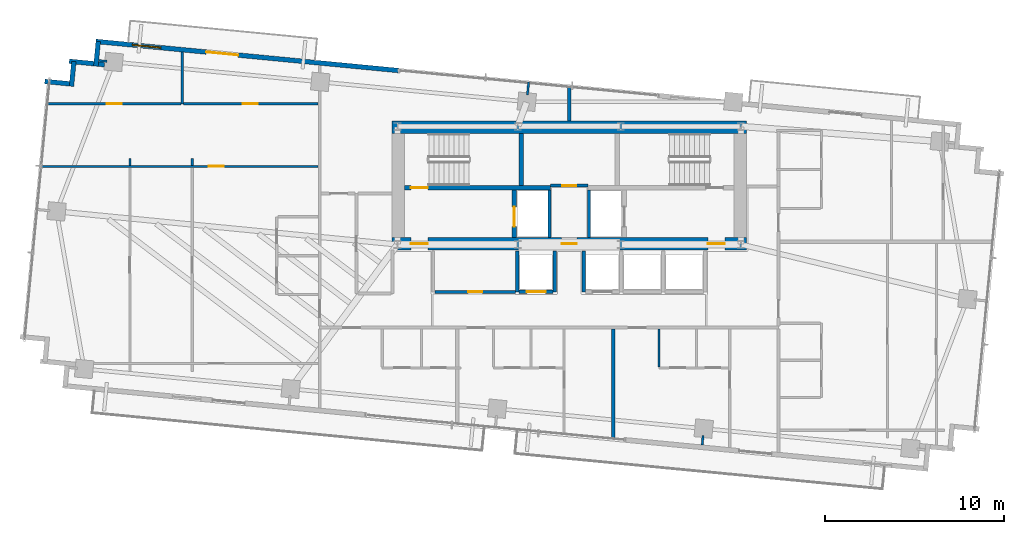
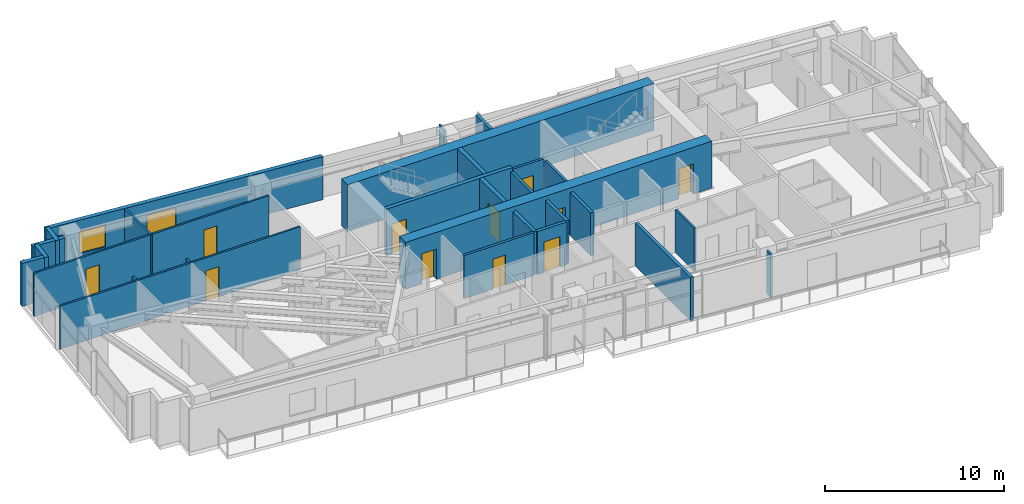
# One storey, part 15 of 19: 30 walls, 12 doors, 1 window, 13 openings.
"""IFC4 building model written with IfcOpenShell, lengths in metres."""

from ifc_helpers import new_model, si_unit, direction, frame, frame_2d, origin, place, context, subcontext, project, spatial, rectangle, extrude, source, transform, mapped, material, layer, layer_set, type_object, type_shapes, element, fill, save


model = new_model("IFC4")

# Units and contexts
model_context = context("Model", 3, precision=1e-05, world=origin(), true_north=direction((0.0, 1.0)))
body_context = subcontext(model_context, "Body", "Model", "MODEL_VIEW")
ifc_project = project(units=[si_unit("LENGTHUNIT", "METRE"), si_unit("AREAUNIT", "SQUARE_METRE"), si_unit("VOLUMEUNIT", "CUBIC_METRE"), si_unit("PLANEANGLEUNIT", "RADIAN"), si_unit("MASSUNIT", "GRAM", prefix="KILO")], contexts=[model_context])

# Site, building, storey
site_placement = place(None, origin())
site = spatial("IfcSite", under=ifc_project, at=site_placement, CompositionType="ELEMENT")
building_placement = place(site_placement, origin())
building = spatial("IfcBuilding", under=site, at=building_placement, Name="Astriad Promenade Condominiums", CompositionType="ELEMENT")
storey_placement = place(building_placement, frame((0.0, 0.0, 147.0)))
storey = spatial("IfcBuildingStorey", under=building, at=storey_placement, Name="L42", CompositionType="ELEMENT", Elevation=147.0)

# Wall, openings, doors
ifc_material_1 = material(Name="Concrete C60/75", Category="concrete")
ifc_layer_1 = layer(ifc_material_1, 0.699951171875)
ifc_layer_set_1 = layer_set([ifc_layer_1], Name="Concrete C60/75")
wall_type_1 = type_object("IfcWallType", Name="CW-SHEAR-700", PredefinedType="SHEAR", material=ifc_layer_set_1)
wall_1_placement = place(storey_placement, frame((26.10009765625, 17.449951171875, 0.0), z_axis=(0.0, 0.0, 1.0), x_axis=(1.0, 0.0, 0.0)))
wall_1 = element("IfcWall", 1, at=wall_1_placement, inside=storey, type_object=wall_type_1, Name="CW-CORE-S-L42", PredefinedType="SHEAR", context=body_context, shape_type="SweptSolid", body=[
    extrude(rectangle(XDim=19.7998046875, YDim=0.699951171875, at=frame_2d((9.89990234375, 0.0))), origin(), (0.0, 0.0, 1.0), 3.199951171875),
])
opening_1_placement = place(wall_1_placement, frame((1.050048828125, 0.0, 0.0)))
opening_1 = element("IfcOpeningElement", 2, at=opening_1_placement, cuts=wall_1, Name="Opening FD90-ST-095", PredefinedType="OPENING", context=body_context, shape_type="SweptSolid", body=[
    extrude(rectangle(XDim=0.949951171875, YDim=2.06005859375, at=frame_2d((0.47509765625, 1.030029296875))), frame((0.0, 0.35986328125, 0.0), z_axis=(0.0, -1.0, 0.0), x_axis=(1.0, 0.0, 0.0)), (0.0, 0.0, 1.0), 0.719970703125),
])
opening_2_placement = place(wall_1_placement, frame((9.47998046875, 0.0, 0.0)))
opening_2 = element("IfcOpeningElement", 3, at=opening_2_placement, cuts=wall_1, Name="Opening FD60-ULOW-085", PredefinedType="OPENING", context=body_context, shape_type="SweptSolid", body=[
    extrude(rectangle(XDim=0.85009765625, YDim=2.0, at=frame_2d((0.425048828125, 1.0))), frame((0.0, 0.35986328125, 0.0), z_axis=(0.0, -1.0, 0.0), x_axis=(1.0, 0.0, 0.0)), (0.0, 0.0, 1.0), 0.719970703125),
])
opening_3_placement = place(wall_1_placement, frame((17.64990234375, 0.0, 0.0)))
opening_3 = element("IfcOpeningElement", 4, at=opening_3_placement, cuts=wall_1, Name="Opening FD90-ST-095", PredefinedType="OPENING", context=body_context, shape_type="SweptSolid", body=[
    extrude(rectangle(XDim=0.949951171875, YDim=2.06005859375, at=frame_2d((0.47509765625, 1.030029296875))), frame((0.0, 0.35986328125, 0.0), z_axis=(0.0, -1.0, 0.0), x_axis=(1.0, 0.0, 0.0)), (0.0, 0.0, 1.0), 0.719970703125),
])
ifc_material_2 = material(Name="Fire-Rated Hollow Metal Stair Door")
door_type_1 = type_object("IfcDoorType", Name="FD90-ST-095", OperationType="NOTDEFINED", PredefinedType="DOOR", material=ifc_material_2)
shared_shape_1 = source(origin(), body_context, "Body", "SweptSolid", [
    extrude(rectangle(XDim=0.949951171875, YDim=2.06005859375, at=frame_2d((0.47509765625, 1.030029296875))), frame((0.0, 0.02490234375, 0.0), z_axis=(0.0, -1.0, 0.0), x_axis=(1.0, 0.0, 0.0)), (0.0, 0.0, 1.0), 0.050048828125),
])
type_shapes(door_type_1, [shared_shape_1])
door_1_placement = place(opening_1_placement, origin())
door_1 = element("IfcDoor", 5, at=door_1_placement, inside=storey, type_object=door_type_1, Name="D-FFW-L42", OperationType="SINGLE_SWING_LEFT", OverallHeight=2.06005859375, OverallWidth=0.949951171875, PredefinedType="DOOR", context=body_context, shape_type="MappedRepresentation", body=[
    mapped(shared_shape_1, transform((0.0, 0.0, 0.0), scale=1.0)),
])
fill(opening_1, door_1)
door_2_placement = place(opening_3_placement, origin())
door_2 = element("IfcDoor", 6, at=door_2_placement, inside=storey, type_object=door_type_1, Name="D-FFE-L42", OperationType="SINGLE_SWING_RIGHT", OverallHeight=2.06005859375, OverallWidth=0.949951171875, PredefinedType="DOOR", context=body_context, shape_type="MappedRepresentation", body=[
    mapped(shared_shape_1, transform((0.0, 0.0, 0.0), scale=1.0)),
])
fill(opening_3, door_2)
ifc_material_3 = material(Name="Solid-Core Low-Headroom Fire Door")
door_type_2 = type_object("IfcDoorType", Name="FD60-ULOW-085", OperationType="NOTDEFINED", PredefinedType="DOOR", material=ifc_material_3)
shared_shape_2 = source(origin(), body_context, "Body", "SweptSolid", [
    extrude(rectangle(XDim=0.85009765625, YDim=2.0, at=frame_2d((0.425048828125, 1.0))), frame((0.0, 0.02490234375, 0.0), z_axis=(0.0, -1.0, 0.0), x_axis=(1.0, 0.0, 0.0)), (0.0, 0.0, 1.0), 0.050048828125),
])
type_shapes(door_type_2, [shared_shape_2])
door_3_placement = place(opening_2_placement, origin())
door_3 = element("IfcDoor", 7, at=door_3_placement, inside=storey, type_object=door_type_2, Name="D-CSL-L42", OperationType="SINGLE_SWING_RIGHT", OverallHeight=2.0, OverallWidth=0.85009765625, PredefinedType="DOOR", context=body_context, shape_type="MappedRepresentation", body=[
    mapped(shared_shape_2, transform((0.0, 0.0, 0.0), scale=1.0)),
])
fill(opening_2, door_3)

# Wall
wall_2_placement = place(storey_placement, frame((26.10009765625, 23.949951171875, 0.0), z_axis=(0.0, 0.0, 1.0), x_axis=(1.0, 0.0, 0.0)))
element("IfcWall", 8, at=wall_2_placement, inside=storey, type_object=wall_type_1, Name="CW-CORE-N-L42", PredefinedType="SHEAR", context=body_context, shape_type="SweptSolid", body=[
    extrude(rectangle(XDim=19.7998046875, YDim=0.699951171875, at=frame_2d((9.89990234375, 0.0))), origin(), (0.0, 0.0, 1.0), 3.199951171875),
])

# Wall, opening, door
ifc_material_4 = material(Name="Concrete C50/60", Category="concrete")
ifc_layer_2 = layer(ifc_material_4, 0.25)
ifc_layer_set_2 = layer_set([ifc_layer_2], Name="Concrete C50/60")
wall_type_2 = type_object("IfcWallType", Name="WALL-CORE-INT-250", PredefinedType="SOLIDWALL", material=ifc_layer_set_2)
wall_3_placement = place(storey_placement, frame((26.802001953125, 20.574951171875, 0.0), z_axis=(0.0, 0.0, 1.0), x_axis=(1.0, 0.0, 0.0)))
wall_3 = element("IfcWall", 9, at=wall_3_placement, inside=storey, type_object=wall_type_2, Name="CW-INT-H1-L42", PredefinedType="SOLIDWALL", context=body_context, shape_type="SweptSolid", body=[
    extrude(rectangle(XDim=8.14794921875, YDim=0.25, at=frame_2d((4.073974609375, 0.0))), origin(), (0.0, 0.0, 1.0), 3.199951171875),
])
opening_4_placement = place(wall_3_placement, frame((0.347900390625, 0.0, 0.0)))
opening_4 = element("IfcOpeningElement", 10, at=opening_4_placement, cuts=wall_3, Name="Opening FD90-ST-095", PredefinedType="OPENING", context=body_context, shape_type="SweptSolid", body=[
    extrude(rectangle(XDim=0.949951171875, YDim=2.06005859375, at=frame_2d((0.47509765625, 1.030029296875))), frame((0.0, 0.135009765625, 0.0), z_axis=(0.0, -1.0, 0.0), x_axis=(1.0, 0.0, 0.0)), (0.0, 0.0, 1.0), 0.27001953125),
])
door_4_placement = place(opening_4_placement, origin())
door_4 = element("IfcDoor", 11, at=door_4_placement, inside=storey, type_object=door_type_1, Name="D-ST1-L42", OperationType="SINGLE_SWING_RIGHT", OverallHeight=2.06005859375, OverallWidth=0.949951171875, PredefinedType="DOOR", context=body_context, shape_type="MappedRepresentation", body=[
    mapped(shared_shape_1, transform((0.0, 0.0, 0.0), scale=1.0)),
])
fill(opening_4, door_4)

# Wall
wall_4_placement = place(storey_placement, frame((33.324951171875, 20.701904296875, 0.0), z_axis=(0.0, 0.0, 1.0), x_axis=(0.0, 1.0, 0.0)))
element("IfcWall", 12, at=wall_4_placement, inside=storey, type_object=wall_type_2, Name="CW-ST1-E-L42", PredefinedType="SOLIDWALL", context=body_context, shape_type="SweptSolid", body=[
    extrude(rectangle(XDim=2.89599609375, YDim=0.25, at=frame_2d((1.447998046875, 0.0))), origin(), (0.0, 0.0, 1.0), 3.199951171875),
])

# Wall, opening, door
wall_5_placement = place(storey_placement, frame((32.925048828125, 17.802001953125, 0.0), z_axis=(0.0, 0.0, 1.0), x_axis=(0.0, 1.0, 0.0)))
wall_5 = element("IfcWall", 13, at=wall_5_placement, inside=storey, type_object=wall_type_2, Name="CW-FFL1-W-L42", PredefinedType="SOLIDWALL", context=body_context, shape_type="SweptSolid", body=[
    extrude(rectangle(XDim=2.64599609375, YDim=0.25, at=frame_2d((1.322998046875, 0.0))), origin(), (0.0, 0.0, 1.0), 3.199951171875),
])
opening_5_placement = place(wall_5_placement, frame((0.597900390625, 0.0, 0.0)))
opening_5 = element("IfcOpeningElement", 14, at=opening_5_placement, cuts=wall_5, Name="Opening LD-FFL-1122", PredefinedType="OPENING", context=body_context, shape_type="SweptSolid", body=[
    extrude(rectangle(XDim=1.10009765625, YDim=2.080078125, at=frame_2d((0.550048828125, 1.0400390625))), frame((0.0, 0.135009765625, 0.0), z_axis=(0.0, -1.0, 0.0), x_axis=(1.0, 0.0, 0.0)), (0.0, 0.0, 1.0), 0.27001953125),
])
ifc_material_5 = material(Name="Brushed Stainless Steel Fire Elevator Landing Door", Category="steel")
door_type_3 = type_object("IfcDoorType", Name="LD-FFL-1122", OperationType="NOTDEFINED", PredefinedType="DOOR", material=ifc_material_5)
shared_shape_3 = source(origin(), body_context, "Body", "SweptSolid", [
    extrude(rectangle(XDim=1.10009765625, YDim=2.080078125, at=frame_2d((0.550048828125, 1.0400390625))), frame((0.0, 0.02490234375, 0.0), z_axis=(0.0, -1.0, 0.0), x_axis=(1.0, 0.0, 0.0)), (0.0, 0.0, 1.0), 0.050048828125),
])
type_shapes(door_type_3, [shared_shape_3])
door_5_placement = place(opening_5_placement, origin())
door_5 = element("IfcDoor", 15, at=door_5_placement, inside=storey, type_object=door_type_3, Name="Elevator Landing Door FFL-1 (L42)", OperationType="SLIDING_TO_LEFT", OverallHeight=2.080078125, OverallWidth=1.10009765625, PredefinedType="DOOR", context=body_context, shape_type="MappedRepresentation", body=[
    mapped(shared_shape_3, transform((0.0, 0.0, 0.0), scale=1.0)),
])
fill(opening_5, door_5)

# Walls
ifc_material_6 = material(Name="Fire-Rated Gypsum Partition")
ifc_layer_3 = layer(ifc_material_6, 0.159912109375)
ifc_layer_set_3 = layer_set([ifc_layer_3], Name="Fire-Rated Gypsum Partition")
wall_type_3 = type_object("IfcWallType", Name="WALL-CORR-160", PredefinedType="PARTITIONING", material=ifc_layer_set_3)
for number, where, z_axis, x_axis, name in (
    (16, (34.89990234375, 17.802001953125, 0.0), (0.0, 0.0, 1.0), (0.0, 1.0, 0.0), "CW-FFL1-E-L42"),
    (17, (37.10009765625, 17.802001953125, 0.0), (0.0, 0.0, 1.0), (0.0, 1.0, 0.0), "CW-FFL2-W-L42"),
):
    element("IfcWall", number, at=place(storey_placement, frame(where, z_axis=z_axis, x_axis=x_axis)), inside=storey, type_object=wall_type_3, Name=name, PredefinedType="PARTITIONING", context=body_context, shape_type="SweptSolid", body=[
        extrude(rectangle(XDim=2.64599609375, YDim=0.159912109375, at=frame_2d((1.322998046875, 0.0))), origin(), (0.0, 0.0, 1.0), 2.93994140625),
    ])

# Wall, opening, door
wall_6_placement = place(storey_placement, frame((34.949951171875, 20.68994140625, 0.0), z_axis=(0.0, 0.0, 1.0), x_axis=(1.0, 0.0, 0.0)))
wall_6 = element("IfcWall", 18, at=wall_6_placement, inside=storey, type_object=wall_type_3, Name="CW-AUX-S-L42", PredefinedType="PARTITIONING", context=body_context, shape_type="SweptSolid", body=[
    extrude(rectangle(XDim=2.10009765625, YDim=0.159912109375, at=frame_2d((1.050048828125, 0.0))), origin(), (0.0, 0.0, 1.0), 2.93994140625),
])
opening_6_placement = place(wall_6_placement, frame((0.64990234375, 0.0, 0.0)))
opening_6 = element("IfcOpeningElement", 19, at=opening_6_placement, cuts=wall_6, Name="Opening FD60-SV-080", PredefinedType="OPENING", context=body_context, shape_type="SweptSolid", body=[
    extrude(rectangle(XDim=0.800048828125, YDim=2.050048828125, at=frame_2d((0.39990234375, 1.02490234375))), frame((0.0, 0.08984375, 0.0), z_axis=(0.0, -1.0, 0.0), x_axis=(1.0, 0.0, 0.0)), (0.0, 0.0, 1.0), 0.179931640625),
])
ifc_material_7 = material(Name="Fire-Rated Riser Closet Door")
door_type_4 = type_object("IfcDoorType", Name="FD60-SV-080", OperationType="NOTDEFINED", PredefinedType="DOOR", material=ifc_material_7)
shared_shape_4 = source(origin(), body_context, "Body", "SweptSolid", [
    extrude(rectangle(XDim=0.800048828125, YDim=2.050048828125, at=frame_2d((0.39990234375, 1.02490234375))), frame((0.0, 0.02490234375, 0.0), z_axis=(0.0, -1.0, 0.0), x_axis=(1.0, 0.0, 0.0)), (0.0, 0.0, 1.0), 0.050048828125),
])
type_shapes(door_type_4, [shared_shape_4])
door_6_placement = place(opening_6_placement, origin())
door_6 = element("IfcDoor", 20, at=door_6_placement, inside=storey, type_object=door_type_4, Name="D-AUX1-L42", OperationType="SINGLE_SWING_RIGHT", OverallHeight=2.050048828125, OverallWidth=0.800048828125, PredefinedType="DOOR", context=body_context, shape_type="MappedRepresentation", body=[
    mapped(shared_shape_4, transform((0.0, 0.0, 0.0), scale=1.0)),
])
fill(opening_6, door_6)

wall_7_placement = place(storey_placement, frame((28.48193359375, 14.75, 0.0), z_axis=(0.0, 0.0, 1.0), x_axis=(1.0, 0.0, 0.0)))
wall_7 = element("IfcWall", 21, at=wall_7_placement, inside=storey, type_object=wall_type_3, Name="REC-L-S-L42", PredefinedType="PARTITIONING", context=body_context, shape_type="SweptSolid", body=[
    extrude(rectangle(XDim=4.51611328125, YDim=0.159912109375, at=frame_2d((2.258056640625, 0.0))), origin(), (0.0, 0.0, 1.0), 2.93994140625),
])
opening_7_placement = place(wall_7_placement, frame((1.867919921875, 0.0, 0.0)))
opening_7 = element("IfcOpeningElement", 22, at=opening_7_placement, cuts=wall_7, Name="Opening FD60-SV-080", PredefinedType="OPENING", context=body_context, shape_type="SweptSolid", body=[
    extrude(rectangle(XDim=0.800048828125, YDim=2.050048828125, at=frame_2d((0.39990234375, 1.02490234375))), frame((0.0, 0.08984375, 0.0), z_axis=(0.0, -1.0, 0.0), x_axis=(1.0, 0.0, 0.0)), (0.0, 0.0, 1.0), 0.179931640625),
])
door_7_placement = place(opening_7_placement, origin())
door_7 = element("IfcDoor", 23, at=door_7_placement, inside=storey, type_object=door_type_4, Name="D-RECL-L42", OperationType="SINGLE_SWING_LEFT", OverallHeight=2.050048828125, OverallWidth=0.800048828125, PredefinedType="DOOR", context=body_context, shape_type="MappedRepresentation", body=[
    mapped(shared_shape_4, transform((0.0, 0.0, 0.0), scale=1.0)),
])
fill(opening_7, door_7)

# Walls
ifc_material_8 = material(Name="Acoustic Double-Stud Gypsum Partition")
ifc_layer_4 = layer(ifc_material_8, 0.199951171875)
ifc_layer_set_4 = layer_set([ifc_layer_4], Name="Acoustic Double-Stud Gypsum Partition")
wall_type_4 = type_object("IfcWallType", Name="WALL-DEMISING-200", PredefinedType="PARTITIONING", material=ifc_layer_set_4)
wall_8_placement = place(storey_placement, frame((36.0, 24.302001953125, 0.0), z_axis=(0.0, 0.0, 1.0), x_axis=(0.0, 1.0, 0.0)))
element("IfcWall", 24, at=wall_8_placement, inside=storey, type_object=wall_type_4, Name="PT-NC-MID-L42", PredefinedType="PARTITIONING", context=body_context, shape_type="SweptSolid", body=[
    extrude(rectangle(XDim=1.954833984375, YDim=0.199951171875, at=frame_2d((0.9775390625, 0.0))), origin(), (0.0, 0.0, 1.0), 2.93994140625),
])
wall_9_placement = place(storey_placement, frame((38.466064453125, 6.489501953125, 0.0), z_axis=(0.0, 0.0, 1.0), x_axis=(0.0, 1.0, 0.0)))
element("IfcWall", 25, at=wall_9_placement, inside=storey, type_object=wall_type_4, Name="PT-DEM-S2-L42", PredefinedType="PARTITIONING", context=body_context, shape_type="SweptSolid", body=[
    extrude(rectangle(XDim=6.178466796875, YDim=0.199951171875, at=frame_2d((3.08935546875, 0.0))), origin(), (0.0, 0.0, 1.0), 2.93994140625),
])
ifc_material_9 = material(Name="Precast concrete C50/60", Category="concrete")
ifc_layer_5 = layer(ifc_material_9, 0.260009765625)
ifc_layer_set_5 = layer_set([ifc_layer_5], Name="Precast concrete C50/60")
wall_type_5 = type_object("IfcWallType", Name="WALL-EXT-TWR-260", PredefinedType="STANDARD", material=ifc_layer_set_5)
wall_10_placement = place(storey_placement, frame((6.68115234375, 26.518310546875, 0.0), z_axis=(0.0, 0.0, 1.0), x_axis=(0.995389446633, -0.095915846097, 0.0)))
element("IfcWall", 26, at=wall_10_placement, inside=storey, type_object=wall_type_5, Name="W-SER-L42-04", PredefinedType="STANDARD", context=body_context, shape_type="SweptSolid", body=[
    extrude(rectangle(XDim=1.394775390625, YDim=0.260009765625, at=frame_2d((0.697265625, 0.0))), origin(), (0.0, 0.0, 1.0), 2.93994140625),
])
wall_11_placement = place(storey_placement, frame((8.171875, 26.243896484375, 0.0), z_axis=(0.0, 0.0, 1.0), x_axis=(0.095725744959, 0.99540774648, 0.0)))
element("IfcWall", 27, at=wall_11_placement, inside=storey, type_object=wall_type_5, Name="W-SER-L42-05", PredefinedType="STANDARD", context=body_context, shape_type="SweptSolid", body=[
    extrude(rectangle(XDim=1.39501953125, YDim=0.260009765625, at=frame_2d((0.697509765625, 0.0))), origin(), (0.0, 0.0, 1.0), 2.93994140625),
])
wall_12_placement = place(storey_placement, frame((8.045166015625, 27.642578125, 0.0), z_axis=(0.0, 0.0, 1.0), x_axis=(0.995391147587, -0.095898192396, 0.0)))
element("IfcWall", 28, at=wall_12_placement, inside=storey, type_object=wall_type_5, Name="W-SER-L42-06", PredefinedType="STANDARD", context=body_context, shape_type="SweptSolid", body=[
    extrude(rectangle(XDim=1.97802734375, YDim=0.260009765625, at=frame_2d((0.989013671875, 0.0))), origin(), (0.0, 0.0, 1.0), 2.93994140625),
])
wall_13_placement = place(storey_placement, frame((9.535888671875, 27.368408203125, 0.0), z_axis=(0.0, 0.0, 1.0), x_axis=(0.095915846097, 0.995389446633, 0.0)))
element("IfcWall", 29, at=wall_13_placement, inside=storey, type_object=wall_type_5, Name="W-SER-L42-07", PredefinedType="STANDARD", context=body_context, shape_type="SweptSolid", body=[
    extrude(rectangle(XDim=1.394775390625, YDim=0.260009765625, at=frame_2d((0.697265625, 0.0))), origin(), (0.0, 0.0, 1.0), 2.93994140625),
])

# Wall, openings, door, window
wall_14_placement = place(storey_placement, frame((9.538818359375, 28.75439453125, 0.0), z_axis=(0.0, 0.0, 1.0), x_axis=(0.995397345886, -0.09583383433, 0.0)))
wall_14 = element("IfcWall", 30, at=wall_14_placement, inside=storey, type_object=wall_type_5, Name="W-EXT-L42-N1", PredefinedType="STANDARD", context=body_context, shape_type="SweptSolid", body=[
    extrude(rectangle(XDim=17.010009765625, YDim=0.260009765625, at=frame_2d((8.5048828125, 0.0))), origin(), (0.0, 0.0, 1.0), 2.93994140625),
])
opening_8_placement = place(wall_14_placement, frame((6.18603515625, 0.0, 0.0)))
opening_8 = element("IfcOpeningElement", 31, at=opening_8_placement, cuts=wall_14, Name="Opening BD-1822-SLD", PredefinedType="OPENING", context=body_context, shape_type="SweptSolid", body=[
    extrude(rectangle(XDim=1.800048828125, YDim=2.06005859375, at=frame_2d((0.89990234375, 1.030029296875))), frame((0.0, 0.139892578125, 0.0), z_axis=(0.0, -1.0, 0.0), x_axis=(1.0, 0.0, 0.0)), (0.0, 0.0, 1.0), 0.280029296875),
])
opening_9_placement = place(wall_14_placement, frame((2.050048828125, 0.0, 0.64990234375)))
opening_9 = element("IfcOpeningElement", 32, at=opening_9_placement, cuts=wall_14, Name="Opening WIN-TWR-1620", PredefinedType="OPENING", context=body_context, shape_type="SweptSolid", body=[
    extrude(rectangle(XDim=1.60009765625, YDim=1.5, at=frame_2d((0.800048828125, 0.75))), frame((0.0, 0.139892578125, 0.0), z_axis=(0.0, -1.0, 0.0), x_axis=(1.0, 0.0, 0.0)), (0.0, 0.0, 1.0), 0.280029296875),
])
ifc_material_10 = material(Name="Thermally Broken Aluminium Sliding Balcony Door", Category="aluminium")
door_type_5 = type_object("IfcDoorType", Name="BD-1822-SLD", OperationType="NOTDEFINED", PredefinedType="DOOR", material=ifc_material_10)
shared_shape_5 = source(origin(), body_context, "Body", "SweptSolid", [
    extrude(rectangle(XDim=1.800048828125, YDim=2.06005859375, at=frame_2d((0.89990234375, 1.030029296875))), frame((0.0, 0.02490234375, 0.0), z_axis=(0.0, -1.0, 0.0), x_axis=(1.0, 0.0, 0.0)), (0.0, 0.0, 1.0), 0.050048828125),
])
type_shapes(door_type_5, [shared_shape_5])
door_8_placement = place(opening_8_placement, origin())
door_8 = element("IfcDoor", 33, at=door_8_placement, inside=storey, type_object=door_type_5, Name="BD-L42-NW", OperationType="SLIDING_TO_LEFT", OverallHeight=2.06005859375, OverallWidth=1.800048828125, PredefinedType="DOOR", context=body_context, shape_type="MappedRepresentation", body=[
    mapped(shared_shape_5, transform((0.0, 0.0, 0.0), scale=1.0)),
])
fill(opening_8, door_8)
ifc_material_11 = material(Name="Dark Tinted Triple-Glazed Aluminium Window", Category="aluminium")
window_type = type_object("IfcWindowType", Name="WIN-TWR-1620", PartitioningType="SINGLE_PANEL", PredefinedType="WINDOW", material=ifc_material_11)
shared_shape_6 = source(origin(), body_context, "Body", "SweptSolid", [
    extrude(rectangle(XDim=1.60009765625, YDim=1.5, at=frame_2d((0.800048828125, 0.75))), frame((0.0, 0.030029296875, 0.0), z_axis=(0.0, -1.0, 0.0), x_axis=(1.0, 0.0, 0.0)), (0.0, 0.0, 1.0), 0.06005859375),
])
type_shapes(window_type, [shared_shape_6])
window_placement = place(opening_9_placement, origin())
window = element("IfcWindow", 34, at=window_placement, inside=storey, type_object=window_type, Name="WIN-L42-NW", OverallHeight=1.5, OverallWidth=1.60009765625, PartitioningType="SINGLE_PANEL", PredefinedType="WINDOW", context=body_context, shape_type="MappedRepresentation", body=[
    mapped(shared_shape_6, transform((0.0, 0.0, 0.0), scale=1.0)),
])
fill(opening_9, window)

# Walls
ifc_material_12 = material(Name="Acoustic Metal-Stud Gypsum Partition")
ifc_layer_6 = layer(ifc_material_12, 0.1201171875)
ifc_layer_set_6 = layer_set([ifc_layer_6], Name="Acoustic Metal-Stud Gypsum Partition")
wall_type_6 = type_object("IfcWallType", Name="WALL-PART-120", PredefinedType="PARTITIONING", material=ifc_layer_set_6)
wall_15_placement = place(storey_placement, frame((41.02001953125, 10.56201171875, 0.0), z_axis=(0.0, 0.0, 1.0), x_axis=(0.0, 1.0, 0.0)))
element("IfcWall", 35, at=wall_15_placement, inside=storey, type_object=wall_type_6, Name="PT-L42-S3-PKW", PredefinedType="PARTITIONING", context=body_context, shape_type="SweptSolid", body=[
    extrude(rectangle(XDim=2.10595703125, YDim=0.1201171875, at=frame_2d((1.052978515625, 0.0))), origin(), (0.0, 0.0, 1.0), 2.93994140625),
])
wall_16_placement = place(storey_placement, frame((14.364013671875, 25.26806640625, 0.0), z_axis=(0.0, 0.0, 1.0), x_axis=(0.0, 1.0, 0.0)))
element("IfcWall", 36, at=wall_16_placement, inside=storey, type_object=wall_type_6, Name="PT-L42-W1-B1M", PredefinedType="PARTITIONING", context=body_context, shape_type="SweptSolid", body=[
    extrude(rectangle(XDim=2.88916015625, YDim=0.1201171875, at=frame_2d((1.444580078125, 0.0))), origin(), (0.0, 0.0, 1.0), 2.93994140625),
])

# Wall, opening, door
wall_17_placement = place(storey_placement, frame((6.771728515625, 25.26806640625, 0.0), z_axis=(0.0, 0.0, 1.0), x_axis=(1.0, 0.0, 0.0)))
wall_17 = element("IfcWall", 37, at=wall_17_placement, inside=storey, type_object=wall_type_6, Name="PT-L42-W1-B1", PredefinedType="PARTITIONING", context=body_context, shape_type="SweptSolid", body=[
    extrude(rectangle(XDim=7.5302734375, YDim=0.1201171875, at=frame_2d((3.76513671875, 0.0))), origin(), (0.0, 0.0, 1.0), 2.93994140625),
])
opening_10_placement = place(wall_17_placement, frame((3.3642578125, 0.0, 0.0)))
opening_10 = element("IfcOpeningElement", 38, at=opening_10_placement, cuts=wall_17, Name="Opening D-INT-085", PredefinedType="OPENING", context=body_context, shape_type="SweptSolid", body=[
    extrude(rectangle(XDim=0.85009765625, YDim=2.050048828125, at=frame_2d((0.425048828125, 1.02490234375))), frame((0.0, 0.070068359375, 0.0), z_axis=(0.0, -1.0, 0.0), x_axis=(1.0, 0.0, 0.0)), (0.0, 0.0, 1.0), 0.14013671875),
])
ifc_material_13 = material(Name="Painted Solid-Core Timber Room Door", Category="wood")
door_type_6 = type_object("IfcDoorType", Name="D-INT-085", OperationType="NOTDEFINED", PredefinedType="DOOR", material=ifc_material_13)
shared_shape_7 = source(origin(), body_context, "Body", "SweptSolid", [
    extrude(rectangle(XDim=0.85009765625, YDim=2.050048828125, at=frame_2d((0.425048828125, 1.02490234375))), frame((0.0, 0.02490234375, 0.0), z_axis=(0.0, -1.0, 0.0), x_axis=(1.0, 0.0, 0.0)), (0.0, 0.0, 1.0), 0.050048828125),
])
type_shapes(door_type_6, [shared_shape_7])
door_9_placement = place(opening_10_placement, origin())
door_9 = element("IfcDoor", 39, at=door_9_placement, inside=storey, type_object=door_type_6, Name="D-BD1-L42-W1", OperationType="SINGLE_SWING_RIGHT", OverallHeight=2.050048828125, OverallWidth=0.85009765625, PredefinedType="DOOR", context=body_context, shape_type="MappedRepresentation", body=[
    mapped(shared_shape_7, transform((0.0, 0.0, 0.0), scale=1.0)),
])
fill(opening_10, door_9)

wall_18_placement = place(storey_placement, frame((14.426025390625, 25.26806640625, 0.0), z_axis=(0.0, 0.0, 1.0), x_axis=(1.0, 0.0, 0.0)))
wall_18 = element("IfcWall", 40, at=wall_18_placement, inside=storey, type_object=wall_type_6, Name="PT-L42-W1-B1-S2", PredefinedType="PARTITIONING", context=body_context, shape_type="SweptSolid", body=[
    extrude(rectangle(XDim=7.5419921875, YDim=0.1201171875, at=frame_2d((3.77099609375, 0.0))), origin(), (0.0, 0.0, 1.0), 2.93994140625),
])
opening_11_placement = place(wall_18_placement, frame((3.31591796875, 0.0, 0.0)))
opening_11 = element("IfcOpeningElement", 41, at=opening_11_placement, cuts=wall_18, Name="Opening D-INT-085", PredefinedType="OPENING", context=body_context, shape_type="SweptSolid", body=[
    extrude(rectangle(XDim=0.85009765625, YDim=2.050048828125, at=frame_2d((0.425048828125, 1.02490234375))), frame((0.0, 0.070068359375, 0.0), z_axis=(0.0, -1.0, 0.0), x_axis=(1.0, 0.0, 0.0)), (0.0, 0.0, 1.0), 0.14013671875),
])
door_10_placement = place(opening_11_placement, origin())
door_10 = element("IfcDoor", 42, at=door_10_placement, inside=storey, type_object=door_type_6, Name="D-BD1B-L42-W1", OperationType="SINGLE_SWING_LEFT", OverallHeight=2.050048828125, OverallWidth=0.85009765625, PredefinedType="DOOR", context=body_context, shape_type="MappedRepresentation", body=[
    mapped(shared_shape_7, transform((0.0, 0.0, 0.0), scale=1.0)),
])
fill(opening_11, door_10)

wall_19_placement = place(storey_placement, frame((6.4345703125, 21.76611328125, 0.0), z_axis=(0.0, 0.0, 1.0), x_axis=(1.0, 0.0, 0.0)))
wall_19 = element("IfcWall", 43, at=wall_19_placement, inside=storey, type_object=wall_type_6, Name="PT-L42-W1-WDN1", PredefinedType="PARTITIONING", context=body_context, shape_type="SweptSolid", body=[
    extrude(rectangle(XDim=15.533447265625, YDim=0.1201171875, at=frame_2d((7.7666015625, 0.0))), origin(), (0.0, 0.0, 1.0), 2.93994140625),
])
opening_12_placement = place(wall_19_placement, frame((9.411376953125, 0.0, 0.0)))
opening_12 = element("IfcOpeningElement", 44, at=opening_12_placement, cuts=wall_19, Name="Opening D-INT-085", PredefinedType="OPENING", context=body_context, shape_type="SweptSolid", body=[
    extrude(rectangle(XDim=0.85009765625, YDim=2.050048828125, at=frame_2d((0.425048828125, 1.02490234375))), frame((0.0, 0.070068359375, 0.0), z_axis=(0.0, -1.0, 0.0), x_axis=(1.0, 0.0, 0.0)), (0.0, 0.0, 1.0), 0.14013671875),
])
door_11_placement = place(opening_12_placement, origin())
door_11 = element("IfcDoor", 45, at=door_11_placement, inside=storey, type_object=door_type_6, Name="D-WDN1-L42-W1", OperationType="SINGLE_SWING_RIGHT", OverallHeight=2.050048828125, OverallWidth=0.85009765625, PredefinedType="DOOR", context=body_context, shape_type="MappedRepresentation", body=[
    mapped(shared_shape_7, transform((0.0, 0.0, 0.0), scale=1.0)),
])
fill(opening_12, door_11)

# Walls
for number, where, z_axis, x_axis, name in (
    (46, (11.43701171875, 21.827880859375, 0.0), (0.0, 0.0, 1.0), (0.0, 1.0, 0.0), "PT-L42-W1-WDV3-S3"),
    (47, (14.9208984375, 21.827880859375, 0.0), (0.0, 0.0, 1.0), (0.0, 1.0, 0.0), "PT-L42-W1-WDV4-S3"),
):
    element("IfcWall", number, at=place(storey_placement, frame(where, z_axis=z_axis, x_axis=x_axis)), inside=storey, type_object=wall_type_6, Name=name, PredefinedType="PARTITIONING", context=body_context, shape_type="SweptSolid", body=[
        extrude(rectangle(XDim=0.378173828125, YDim=0.1201171875, at=frame_2d((0.18896484375, 0.0))), origin(), (0.0, 0.0, 1.0), 2.93994140625),
    ])
wall_20_placement = place(storey_placement, frame((43.48388671875, 6.7294921875, 0.0), z_axis=(0.0, 0.0, 1.0), x_axis=(-0.095772948675, -0.995403205893, 0.0)))
element("IfcWall", 48, at=wall_20_placement, inside=storey, type_object=wall_type_6, Name="PT-PIL-L42-PC04-11", PredefinedType="PARTITIONING", context=body_context, shape_type="SweptSolid", body=[
    extrude(rectangle(XDim=0.537841796875, YDim=0.1201171875, at=frame_2d((0.26904296875, 0.0))), origin(), (0.0, 0.0, 1.0), 2.93994140625),
])
wall_21_placement = place(storey_placement, frame((10.15478515625, 27.640380859375, 0.0), z_axis=(0.0, 0.0, 1.0), x_axis=(-0.995435366701, 0.095438098896, 0.0)))
element("IfcWall", 49, at=wall_21_placement, inside=storey, type_object=wall_type_6, Name="PT-PIL-L42-PC06-13", PredefinedType="PARTITIONING", context=body_context, shape_type="SweptSolid", body=[
    extrude(rectangle(XDim=0.4580078125, YDim=0.1201171875, at=frame_2d((0.22900390625, 0.0))), origin(), (0.0, 0.0, 1.0), 2.93994140625),
])
wall_22_placement = place(storey_placement, frame((33.66259765625, 25.758544921875, 0.0), z_axis=(0.0, 0.0, 1.0), x_axis=(0.095977354523, 0.995383517755, 0.0)))
element("IfcWall", 50, at=wall_22_placement, inside=storey, type_object=wall_type_6, Name="PT-PIL-L42-PC08-15", PredefinedType="PARTITIONING", context=body_context, shape_type="SweptSolid", body=[
    extrude(rectangle(XDim=0.719970703125, YDim=0.1201171875, at=frame_2d((0.35986328125, 0.0))), origin(), (0.0, 0.0, 1.0), 2.93994140625),
])
ifc_material_14 = material(Name="Gypsum Shaftliner Assembly")
ifc_layer_7 = layer(ifc_material_14, 0.199951171875)
ifc_layer_set_7 = layer_set([ifc_layer_7], Name="Gypsum Shaftliner Assembly")
wall_type_7 = type_object("IfcWallType", Name="WALL-SHAFT-200", PredefinedType="PARTITIONING", material=ifc_layer_set_7)
for number, where, z_axis, x_axis, name in (
    (51, (33.10009765625, 14.75, 0.0), (0.0, 0.0, 1.0), (0.0, 1.0, 0.0), "REC-L-E-L42"),
    (52, (35.199951171875, 14.75, 0.0), (0.0, 0.0, 1.0), (0.0, 1.0, 0.0), "PL-M1-E-L42"),
):
    element("IfcWall", number, at=place(storey_placement, frame(where, z_axis=z_axis, x_axis=x_axis)), inside=storey, type_object=wall_type_7, Name=name, PredefinedType="PARTITIONING", context=body_context, shape_type="SweptSolid", body=[
        extrude(rectangle(XDim=2.300048828125, YDim=0.199951171875, at=frame_2d((1.14990234375, 0.0))), origin(), (0.0, 0.0, 1.0), 2.93994140625),
    ])

# Wall, opening, door
wall_23_placement = place(storey_placement, frame((33.201904296875, 14.75, 0.0), z_axis=(0.0, 0.0, 1.0), x_axis=(1.0, 0.0, 0.0)))
wall_23 = element("IfcWall", 53, at=wall_23_placement, inside=storey, type_object=wall_type_7, Name="PL-M1-F-L42", PredefinedType="PARTITIONING", context=body_context, shape_type="SweptSolid", body=[
    extrude(rectangle(XDim=1.89599609375, YDim=0.199951171875, at=frame_2d((0.947998046875, 0.0))), origin(), (0.0, 0.0, 1.0), 2.93994140625),
])
opening_13_placement = place(wall_23_placement, frame((0.423095703125, 0.0, 0.0)))
opening_13 = element("IfcOpeningElement", 54, at=opening_13_placement, cuts=wall_23, Name="Opening LD-PL-10522", PredefinedType="OPENING", context=body_context, shape_type="SweptSolid", body=[
    extrude(rectangle(XDim=1.050048828125, YDim=2.080078125, at=frame_2d((0.52490234375, 1.0400390625))), frame((0.0, 0.10986328125, 0.0), z_axis=(0.0, -1.0, 0.0), x_axis=(1.0, 0.0, 0.0)), (0.0, 0.0, 1.0), 0.219970703125),
])
ifc_material_15 = material(Name="Brushed Bronze Passenger Elevator Landing Door")
door_type_7 = type_object("IfcDoorType", Name="LD-PL-10522", OperationType="NOTDEFINED", PredefinedType="DOOR", material=ifc_material_15)
shared_shape_8 = source(origin(), body_context, "Body", "SweptSolid", [
    extrude(rectangle(XDim=1.050048828125, YDim=2.080078125, at=frame_2d((0.52490234375, 1.0400390625))), frame((0.0, 0.02490234375, 0.0), z_axis=(0.0, -1.0, 0.0), x_axis=(1.0, 0.0, 0.0)), (0.0, 0.0, 1.0), 0.050048828125),
])
type_shapes(door_type_7, [shared_shape_8])
door_12_placement = place(opening_13_placement, origin())
door_12 = element("IfcDoor", 55, at=door_12_placement, inside=storey, type_object=door_type_7, Name="Elevator Landing Door PL-M1 (L42)", OperationType="SLIDING_TO_LEFT", OverallHeight=2.080078125, OverallWidth=1.050048828125, PredefinedType="DOOR", context=body_context, shape_type="MappedRepresentation", body=[
    mapped(shared_shape_8, transform((0.0, 0.0, 0.0), scale=1.0)),
])
fill(opening_13, door_12)

# Wall
wall_24_placement = place(storey_placement, frame((36.800048828125, 14.75, 0.0), z_axis=(0.0, 0.0, 1.0), x_axis=(0.0, 1.0, 0.0)))
element("IfcWall", 56, at=wall_24_placement, inside=storey, type_object=wall_type_7, Name="PL-M2-W-L42", PredefinedType="PARTITIONING", context=body_context, shape_type="SweptSolid", body=[
    extrude(rectangle(XDim=2.300048828125, YDim=0.199951171875, at=frame_2d((1.14990234375, 0.0))), origin(), (0.0, 0.0, 1.0), 2.93994140625),
])

save(model, "model.ifc")
